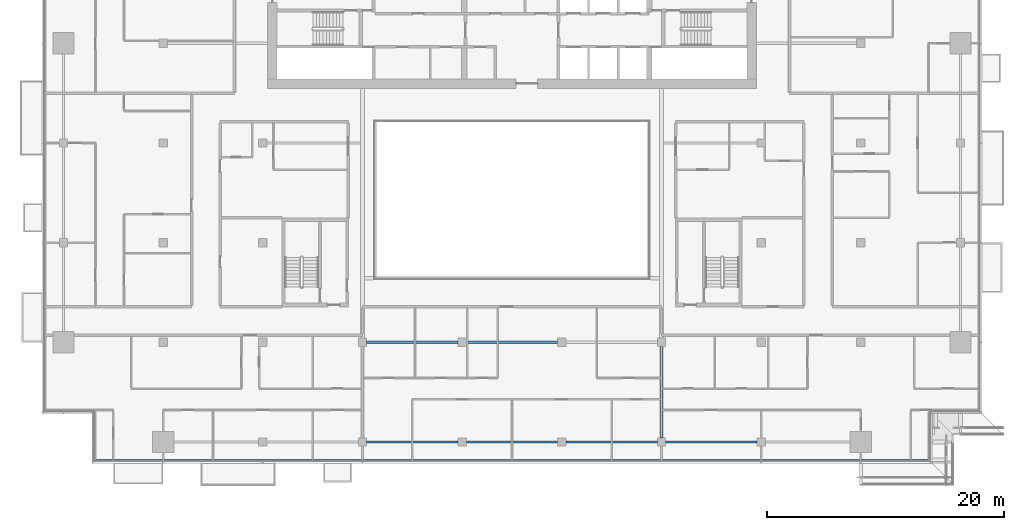
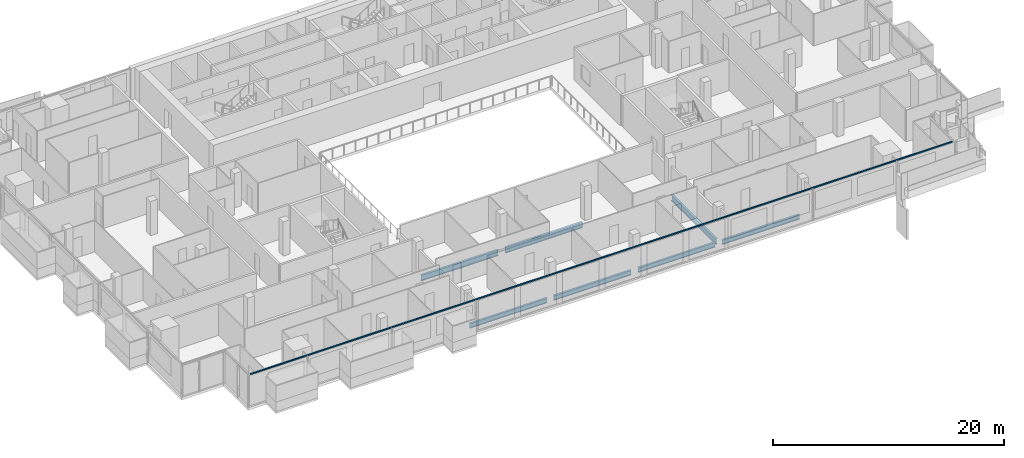
# One storey, part 5 of 30: 7 beams, 1 member, 1 element without a shape of its own.
"""IFC4 building model written with IfcOpenShell, lengths in metres."""

import ifcopenshell
import ifcopenshell.guid

model = None  # the IFC model being written
_history = None  # IfcOwnerHistory: only IFC2X3 demands one
_inside = {}  # id of a spatial element -> (the spatial element, [elements in it])
_under = {}  # id of a project, library or spatial element -> (it, [spatial elements below it])
_declared = {}  # id of a project -> (the project, [libraries it declares])
_typed = {}  # id of a type object -> (the type object, [elements of that type])
_made_of = {}  # id of a material, layer set ... -> (it, [elements and type objects made of it])


def new_model(schema):
    """Start an empty IFC model of exactly this schema.

    Asked for "IFC4X3", IfcOpenShell would pick the latest addendum, in which some entities
    have other attributes; the version numbers below select the first issue.
    IFC2X3 requires an IfcOwnerHistory on every rooted entity: one is made here for all.
    """
    global model, _history
    if schema == "IFC4X3":
        model = ifcopenshell.file(schema_version=(4, 3, 0, 0))
    else:
        model = ifcopenshell.file(schema=schema)
    _inside.clear()
    _under.clear()
    _declared.clear()
    _typed.clear()
    _made_of.clear()
    _history = None
    if model.schema == "IFC2X3":
        org = make("IfcOrganization", Name="unknown")
        user = make(
            "IfcPersonAndOrganization",
            ThePerson=make("IfcPerson", FamilyName="unknown"),
            TheOrganization=org,
        )
        app = make(
            "IfcApplication",
            ApplicationDeveloper=org,
            Version="unknown",
            ApplicationFullName="unknown",
            ApplicationIdentifier="unknown",
        )
        _history = make(
            "IfcOwnerHistory",
            OwningUser=user,
            OwningApplication=app,
            ChangeAction="ADDED",
            CreationDate=0,
        )
    return model


def make(cls, **values):
    """One entity of the class cls with the attributes given. An attribute that is None is left unset."""
    return model.create_entity(
        cls, **{name: value for name, value in values.items() if value is not None}
    )


def rooted(cls, **values):
    """An entity with a GlobalId (a new one), such as an element, a storey or a relation."""
    return make(cls, GlobalId=ifcopenshell.guid.new(), OwnerHistory=_history, **values)


def si_unit(unit_type, name, prefix=None):
    """IfcSIUnit, for example si_unit("LENGTHUNIT", "METRE", prefix="MILLI")."""
    return make("IfcSIUnit", UnitType=unit_type, Prefix=prefix, Name=name)


def assignment(units):
    """IfcUnitAssignment: the units of a project."""
    return None if units is None else make("IfcUnitAssignment", Units=units)


def point(xyz):
    """IfcCartesianPoint."""
    return None if xyz is None else make("IfcCartesianPoint", Coordinates=xyz)


def direction(xyz):
    """IfcDirection."""
    return None if xyz is None else make("IfcDirection", DirectionRatios=xyz)


def frame(location, z_axis=None, x_axis=None):
    """IfcAxis2Placement3D, a coordinate frame: its origin and axes. An axis left out is left unset."""
    return make(
        "IfcAxis2Placement3D",
        Location=point(location),
        Axis=direction(z_axis),
        RefDirection=direction(x_axis),
    )


def frame_2d(location, x_axis=None):
    """IfcAxis2Placement2D, a coordinate frame in the plane: its origin and x axis."""
    return make(
        "IfcAxis2Placement2D", Location=point(location), RefDirection=direction(x_axis)
    )


def origin():
    """The frame at (0, 0, 0) with its axes left unset."""
    return frame((0.0, 0.0, 0.0))


def origin_2d():
    """The frame at (0, 0) in the plane with its x axis left unset."""
    return frame_2d((0.0, 0.0))


def place(relative_to, where):
    """IfcLocalPlacement: puts the frame where relative to a parent placement (None: the world)."""
    return make(
        "IfcLocalPlacement", PlacementRelTo=relative_to, RelativePlacement=where
    )


def context(
    kind, dimensions, precision=None, world=None, true_north=None, identifier=None
):
    """IfcGeometricRepresentationContext, for example the 3D "Model" context."""
    return make(
        "IfcGeometricRepresentationContext",
        ContextIdentifier=identifier,
        ContextType=kind,
        CoordinateSpaceDimension=dimensions,
        Precision=precision,
        WorldCoordinateSystem=world,
        TrueNorth=true_north,
    )


def subcontext(parent, identifier, kind, view, scale=None):
    """IfcGeometricRepresentationSubContext, for example "Body" below "Model"."""
    return make(
        "IfcGeometricRepresentationSubContext",
        ContextIdentifier=identifier,
        ContextType=kind,
        ParentContext=parent,
        TargetScale=scale,
        TargetView=view,
    )


def project(units=None, contexts=None):
    """IfcProject with its units and contexts."""
    return rooted(
        "IfcProject",
        Name="project",
        RepresentationContexts=contexts,
        UnitsInContext=assignment(units),
    )


def spatial(cls, under=None, at=None, **own):
    """A site, building, storey or space (cls), placed at a placement, below another one or the project."""
    s = rooted(cls, ObjectPlacement=at, **own)
    if under is not None:
        _under.setdefault(under.id(), (under, []))[1].append(s)
    return s


def profile(cls, at=None, kind="AREA", **sizes):
    """A parametric profile (cls). Its sizes go by their IFC names, for example OverallWidth=200.0."""
    return make(cls, ProfileType=kind, Position=at, **sizes)


def rectangle(**sizes):
    """IfcRectangleProfileDef."""
    return profile("IfcRectangleProfileDef", **sizes)


def i_section(**sizes):
    """IfcIShapeProfileDef."""
    return profile("IfcIShapeProfileDef", **sizes)


def extrude(swept, where, along, depth):
    """IfcExtrudedAreaSolid: the profile swept, set in the frame where, extruded along a direction by depth."""
    return make(
        "IfcExtrudedAreaSolid",
        SweptArea=swept,
        Position=where,
        ExtrudedDirection=direction(along),
        Depth=depth,
    )


def shape(context_of_items, identifier, shape_type, items):
    """IfcShapeRepresentation: the items that make up one representation, for example the "Body"."""
    return make(
        "IfcShapeRepresentation",
        ContextOfItems=context_of_items,
        RepresentationIdentifier=identifier,
        RepresentationType=shape_type,
        Items=items,
    )


def material(Name=None, Category=None):
    """IfcMaterial."""
    return make("IfcMaterial", Name=Name, Category=Category)


def material_profile(
    of_material, cross_section, Name=None, Category=None, Priority=None
):
    """IfcMaterialProfile: a cross section and its material."""
    return make(
        "IfcMaterialProfile",
        Name=Name,
        Material=of_material,
        Profile=cross_section,
        Priority=Priority,
        Category=Category,
    )


def profile_set(profiles, Name=None, composite=None):
    """IfcMaterialProfileSet."""
    return make(
        "IfcMaterialProfileSet",
        Name=Name,
        MaterialProfiles=profiles,
        CompositeProfile=composite,
    )


def made_of(thing, what):
    """Note that an element or type object is made of a material, layer set ...; save() writes the relation."""
    if what is not None:
        _made_of.setdefault(what.id(), (what, []))[1].append(thing)
    return thing


def type_object(cls, material=None, **own):
    """A type object (cls), such as IfcWallType, which elements share."""
    return made_of(rooted(cls, **own), material)


def element(
    cls,
    number,
    at=None,
    inside=None,
    cuts=None,
    type_object=None,
    material=None,
    context=None,
    identifier="Body",
    shape_type=None,
    held_by="IfcProductDefinitionShape",
    body=None,
    shapes=None,
    **own,
):
    """One element of the class cls, such as IfcWall. Its Tag is "e" and its number.

    at: its placement. inside: the storey or other place that contains it. cuts: it is an
    opening in that element (IfcRelVoidsElement). A single representation is given by context,
    identifier, shape_type and body (its items); several are given by shapes. held_by: the class
    of the entity that holds the representations. save() writes the other relations.
    """
    e = rooted(cls, Tag="e%d" % number, ObjectPlacement=at, **own)
    if body is not None:
        shapes = [shape(context, identifier, shape_type, body)]
    if shapes is not None:
        e.Representation = make(held_by, Representations=shapes)
    if inside is not None:
        _inside.setdefault(inside.id(), (inside, []))[1].append(e)
    if cuts is not None:
        rooted(
            "IfcRelVoidsElement", RelatingBuildingElement=cuts, RelatedOpeningElement=e
        )
    if type_object is not None:
        _typed.setdefault(type_object.id(), (type_object, []))[1].append(e)
    return made_of(e, material)


def aggregate(whole, parts):
    """IfcRelAggregates: a whole, such as a stair, and the parts it consists of."""
    return rooted("IfcRelAggregates", RelatingObject=whole, RelatedObjects=parts)


def save(model, path):
    """Write the relations noted so far, then the file.

    IfcRelAggregates (storeys below a building ...), IfcRelContainedInSpatialStructure (elements
    in a storey), IfcRelDefinesByType, IfcRelAssociatesMaterial and IfcRelDeclares: one each for
    every whole, place, type object, material and project.
    """
    for whole, parts in _under.values():
        aggregate(whole, parts)
    for where, things in _inside.values():
        rooted(
            "IfcRelContainedInSpatialStructure",
            RelatedElements=things,
            RelatingStructure=where,
        )
    for kind, things in _typed.values():
        rooted("IfcRelDefinesByType", RelatedObjects=things, RelatingType=kind)
    for what, things in _made_of.values():
        rooted("IfcRelAssociatesMaterial", RelatedObjects=things, RelatingMaterial=what)
    for by, libraries in _declared.values():
        rooted("IfcRelDeclares", RelatingContext=by, RelatedDefinitions=libraries)
    model.write(path)


model = new_model("IFC4")

# Units and contexts
model_context = context("Model", 3, precision=1e-05, world=origin(), true_north=direction((0.0, 1.0)))
body_context = subcontext(model_context, "Body", "Model", "MODEL_VIEW")
ifc_project = project(units=[si_unit("LENGTHUNIT", "METRE"), si_unit("AREAUNIT", "SQUARE_METRE"), si_unit("VOLUMEUNIT", "CUBIC_METRE"), si_unit("PLANEANGLEUNIT", "RADIAN"), si_unit("MASSUNIT", "GRAM", prefix="KILO")], contexts=[model_context])

# Site, building, storey
site_placement = place(None, origin())
site = spatial("IfcSite", under=ifc_project, at=site_placement, CompositionType="ELEMENT")
building_placement = place(site_placement, origin())
building = spatial("IfcBuilding", under=site, at=building_placement, Name="Saffron Gate Tower", CompositionType="ELEMENT")
storey_placement = place(building_placement, frame((0.0, 0.0, 158.25)))
storey = spatial("IfcBuildingStorey", under=building, at=storey_placement, Name="L38", CompositionType="ELEMENT", Elevation=158.25)

# Beams
ifc_material_1 = material(Name="Structural steel S355", Category="steel")
ifc_material_profile_1 = material_profile(ifc_material_1, i_section(OverallWidth=0.199951171875, OverallDepth=0.5, WebThickness=0.01025390625, FlangeThickness=0.01611328125, FilletRadius=0.02099609375, at=origin_2d()))
ifc_profile_set_1 = profile_set([ifc_material_profile_1], Name="Structural steel S355")
beam_type_1 = type_object("IfcBeamType", Name="B11 IPE 500", PredefinedType="SPANDREL", material=ifc_profile_set_1)
for number, where, z_axis, x_axis, name in (
    (1, (75.35009765625, 31.800048828125, -0.530029296875), (1.0, 0.0, 0.0), (0.0, 1.0, 0.0), "B11 SPANDREL BEAM"),
    (2, (83.75, 31.800048828125, -0.530029296875), (1.0, 0.0, 0.0), (0.0, 1.0, 0.0), "B11 SPANDREL BEAM"),
):
    element("IfcBeam", number, at=place(storey_placement, frame(where, z_axis=z_axis, x_axis=x_axis)), inside=storey, type_object=beam_type_1, Name=name, PredefinedType="SPANDREL", context=body_context, shape_type="SweptSolid", body=[
        extrude(i_section(OverallWidth=0.199951171875, OverallDepth=0.5, WebThickness=0.01025390625, FlangeThickness=0.01611328125, FilletRadius=0.02099609375, at=origin_2d()), origin(), (0.0, 0.0, 1.0), 7.699951171875),
    ])
beam_1_placement = place(storey_placement, frame((92.14990234375, 31.800048828125, -0.530029296875), z_axis=(1.0, 0.0, 0.0), x_axis=(0.0, 1.0, 0.0)))
element("IfcBeam", 3, at=beam_1_placement, inside=storey, type_object=beam_type_1, Name="B11 SPANDREL BEAM", PredefinedType="SPANDREL", context=body_context, shape_type="SweptSolid", body=[
    extrude(i_section(OverallWidth=0.199951171875, OverallDepth=0.5, WebThickness=0.01025390625, FlangeThickness=0.01611328125, FilletRadius=0.02099609375, at=origin_2d()), origin(), (0.0, 0.0, 1.0), 7.7001953125),
])
beam_2_placement = place(storey_placement, frame((100.550048828125, 31.800048828125, -0.530029296875), z_axis=(1.0, 0.0, 0.0), x_axis=(0.0, 1.0, 0.0)))
element("IfcBeam", 4, at=beam_2_placement, inside=storey, type_object=beam_type_1, Name="B11 SPANDREL BEAM", PredefinedType="SPANDREL", context=body_context, shape_type="SweptSolid", body=[
    extrude(i_section(OverallWidth=0.199951171875, OverallDepth=0.5, WebThickness=0.01025390625, FlangeThickness=0.01611328125, FilletRadius=0.02099609375, at=origin_2d()), origin(), (0.0, 0.0, 1.0), 7.699951171875),
])
ifc_material_profile_2 = material_profile(ifc_material_1, i_section(OverallWidth=0.219970703125, OverallDepth=0.60009765625, WebThickness=0.011962890625, FlangeThickness=0.01904296875, FilletRadius=0.02392578125, at=origin_2d()))
ifc_profile_set_2 = profile_set([ifc_material_profile_2], Name="Structural steel S355")
beam_type_2 = type_object("IfcBeamType", Name="B15 IPE 600", PredefinedType="BEAM", material=ifc_profile_set_2)
beam_3_placement = place(storey_placement, frame((100.199951171875, 32.14990234375, -0.580078125), z_axis=(0.0, 1.0, 0.0), x_axis=(-1.0, 0.0, 0.0)))
element("IfcBeam", 5, at=beam_3_placement, inside=storey, type_object=beam_type_2, Name="B15 FLOOR GIRDER", PredefinedType="BEAM", context=body_context, shape_type="SweptSolid", body=[
    extrude(i_section(OverallWidth=0.219970703125, OverallDepth=0.60009765625, WebThickness=0.011962890625, FlangeThickness=0.01904296875, FilletRadius=0.02392578125, at=origin_2d()), origin(), (0.0, 0.0, 1.0), 7.7001953125),
])
for number, where, z_axis, x_axis, name in (
    (6, (75.35009765625, 40.199951171875, -0.580078125), (1.0, 0.0, 0.0), (0.0, 1.0, 0.0), "B15 FLOOR GIRDER"),
    (7, (83.75, 40.199951171875, -0.580078125), (1.0, 0.0, 0.0), (0.0, 1.0, 0.0), "B15 FLOOR GIRDER"),
):
    element("IfcBeam", number, at=place(storey_placement, frame(where, z_axis=z_axis, x_axis=x_axis)), inside=storey, type_object=beam_type_2, Name=name, PredefinedType="BEAM", context=body_context, shape_type="SweptSolid", body=[
        extrude(i_section(OverallWidth=0.219970703125, OverallDepth=0.60009765625, WebThickness=0.011962890625, FlangeThickness=0.01904296875, FilletRadius=0.02392578125, at=origin_2d()), origin(), (0.0, 0.0, 1.0), 7.699951171875),
    ])

# Curtain wall, member
ifc_material_2 = material(Name="Aluminium, bronze anodised", Category="aluminium")
curtain_wall_type = type_object("IfcCurtainWallType", Name="CWS1 curtain wall front facade", PredefinedType="NOTDEFINED", material=ifc_material_2)
curtain_wall_placement = place(storey_placement, origin())
curtain_wall = element("IfcCurtainWall", 8, at=curtain_wall_placement, inside=storey, type_object=curtain_wall_type, Name="CWS1 run 1", PredefinedType="NOTDEFINED")
ifc_material_profile_3 = material_profile(ifc_material_2, rectangle(XDim=0.1201171875, YDim=0.1201171875, at=origin_2d()))
ifc_profile_set_3 = profile_set([ifc_material_profile_3], Name="Aluminium, bronze anodised")
member_type = type_object("IfcMemberType", Name="CWS1 head transom", PredefinedType="USERDEFINED", material=ifc_profile_set_3)
member_placement = place(storey_placement, frame((52.568115234375, 30.248046875, 3.260009765625), z_axis=(1.0, 0.0, 0.0), x_axis=(0.0, 1.0, 0.0)))
member = element("IfcMember", 9, at=member_placement, type_object=member_type, Name="CWS1 head transom", ObjectType="TRANSOM", PredefinedType="USERDEFINED", context=body_context, shape_type="SweptSolid", body=[
    extrude(rectangle(XDim=0.1201171875, YDim=0.1201171875, at=origin_2d()), origin(), (0.0, 0.0, 1.0), 70.06396484375),
])
aggregate(curtain_wall, [member])

save(model, "model.ifc")
